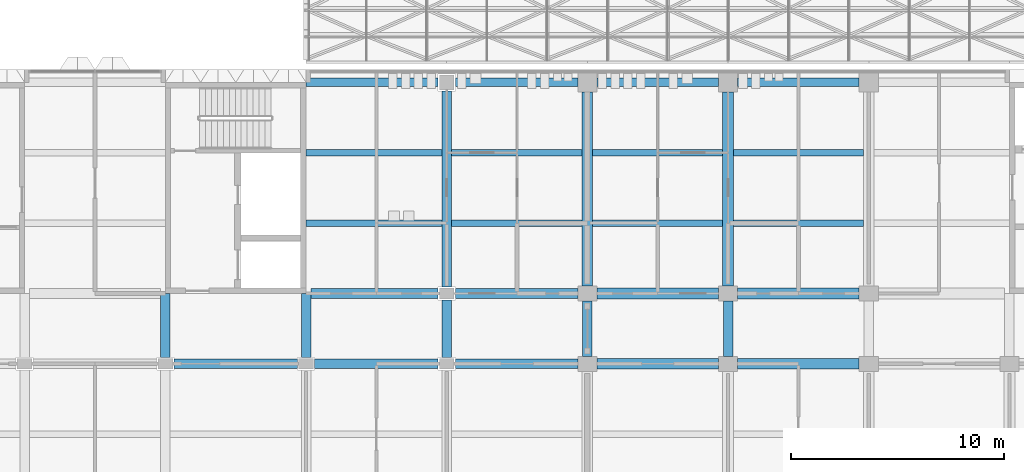
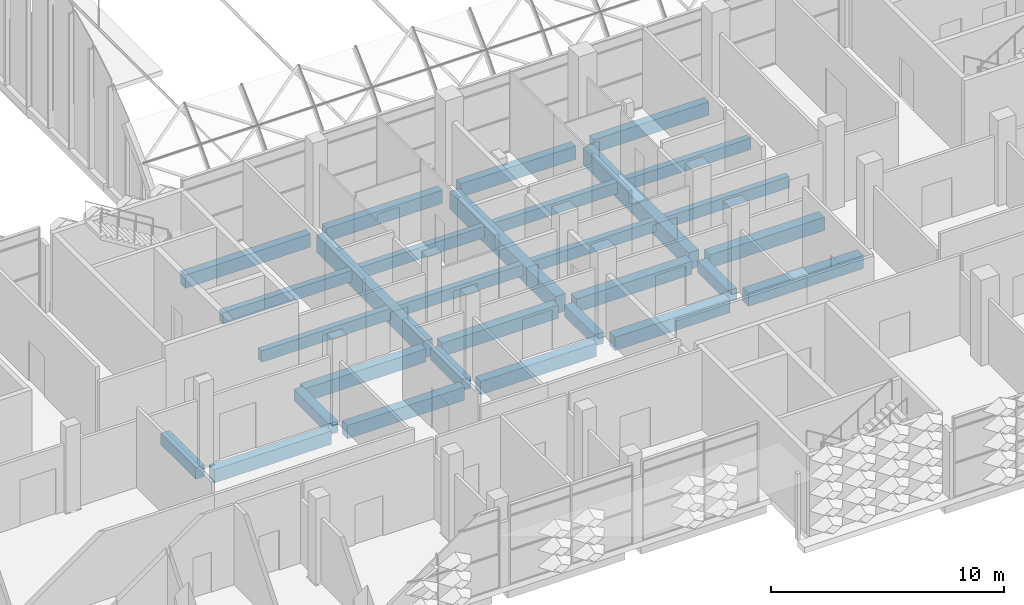
# One storey, part 11 of 109: 29 beams.
"""IFC4 building model written with IfcOpenShell, lengths in metres."""

from ifc_helpers import new_model, si_unit, direction, frame, origin, origin_2d, place, context, subcontext, project, spatial, rectangle, extrude, material, material_profile, profile_set, type_object, element, save


model = new_model("IFC4")

# Units and contexts
model_context = context("Model", 3, precision=1e-05, world=origin(), true_north=direction((0.0, 1.0)))
body_context = subcontext(model_context, "Body", "Model", "MODEL_VIEW")
ifc_project = project(units=[si_unit("LENGTHUNIT", "METRE"), si_unit("AREAUNIT", "SQUARE_METRE"), si_unit("VOLUMEUNIT", "CUBIC_METRE"), si_unit("PLANEANGLEUNIT", "RADIAN"), si_unit("MASSUNIT", "GRAM", prefix="KILO")], contexts=[model_context])

# Site, building, storey
site_placement = place(None, origin())
site = spatial("IfcSite", under=ifc_project, at=site_placement, CompositionType="ELEMENT")
building_placement = place(site_placement, origin())
building = spatial("IfcBuilding", under=site, at=building_placement, Name="Lantern Court Research Institute", CompositionType="ELEMENT")
storey_placement = place(building_placement, frame((0.0, 0.0, 14.39990234375)))
storey = spatial("IfcBuildingStorey", under=building, at=storey_placement, Name="L03", CompositionType="ELEMENT", Elevation=14.39990234375)

# Beams
ifc_material_1 = material(Name="Concrete C40/50", Category="concrete")
ifc_material_profile_1 = material_profile(ifc_material_1, rectangle(XDim=0.449951171875, YDim=0.699951171875, at=origin_2d()), Name="RC beam 450 x 700")
ifc_profile_set_1 = profile_set([ifc_material_profile_1], Name="Concrete C40/50")
beam_type_1 = type_object("IfcBeamType", Name="RC beam 450 x 700", PredefinedType="BEAM", material=ifc_profile_set_1)
for number, where, z_axis, x_axis, name in (
    (1, (33.39990234375, 9.89990234375, -0.64990234375), (1.0, 0.0, 0.0), (0.0, 1.0, 0.0), "Beam L03 grid B/6-7"),
    (2, (40.0, 9.89990234375, -0.64990234375), (1.0, 0.0, 0.0), (0.0, 1.0, 0.0), "Beam L03 grid B/7-8"),
):
    element("IfcBeam", number, at=place(storey_placement, frame(where, z_axis=z_axis, x_axis=x_axis)), inside=storey, type_object=beam_type_1, Name=name, PredefinedType="BEAM", context=body_context, shape_type="SweptSolid", body=[
        extrude(rectangle(XDim=0.449951171875, YDim=0.699951171875, at=origin_2d()), origin(), (0.0, 0.0, 1.0), 5.800048828125),
    ])
beam_1_placement = place(storey_placement, frame((46.60009765625, 9.89990234375, -0.64990234375), z_axis=(1.0, 0.0, 0.0), x_axis=(0.0, 1.0, 0.0)))
element("IfcBeam", 3, at=beam_1_placement, inside=storey, type_object=beam_type_1, Name="Beam L03 grid B/8-9", PredefinedType="BEAM", context=body_context, shape_type="SweptSolid", body=[
    extrude(rectangle(XDim=0.449951171875, YDim=0.699951171875, at=origin_2d()), origin(), (0.0, 0.0, 1.0), 5.75),
])
beam_2_placement = place(storey_placement, frame((39.824951171875, 13.199951171875, -0.64990234375), z_axis=(1.0, 0.0, 0.0), x_axis=(0.0, 1.0, 0.0)))
element("IfcBeam", 4, at=beam_2_placement, inside=storey, type_object=beam_type_1, Name="Beam L03 grid C/7-8", PredefinedType="BEAM", context=body_context, shape_type="SweptSolid", body=[
    extrude(rectangle(XDim=0.449951171875, YDim=0.699951171875, at=origin_2d()), origin(), (0.0, 0.0, 1.0), 5.97509765625),
])
beam_3_placement = place(storey_placement, frame((46.60009765625, 13.199951171875, -0.64990234375), z_axis=(1.0, 0.0, 0.0), x_axis=(0.0, 1.0, 0.0)))
element("IfcBeam", 5, at=beam_3_placement, inside=storey, type_object=beam_type_1, Name="Beam L03 grid C/8-9", PredefinedType="BEAM", context=body_context, shape_type="SweptSolid", body=[
    extrude(rectangle(XDim=0.449951171875, YDim=0.699951171875, at=origin_2d()), origin(), (0.0, 0.0, 1.0), 5.75),
])
ifc_material_2 = material(Name="Concrete C40/50", Category="concrete")
ifc_material_profile_2 = material_profile(ifc_material_2, rectangle(XDim=0.5, YDim=0.699951171875, at=origin_2d()), Name="RC beam 500 x 700")
ifc_profile_set_2 = profile_set([ifc_material_profile_2], Name="Concrete C40/50")
beam_type_2 = type_object("IfcBeamType", Name="RC beam 500 x 700", PredefinedType="BEAM", material=ifc_profile_set_2)
for number, where, z_axis, x_axis, name in (
    (6, (53.25, 9.89990234375, -0.64990234375), (1.0, 0.0, 0.0), (0.0, 1.0, 0.0), "Beam L03 grid B/9-10"),
    (7, (59.85009765625, 9.89990234375, -0.64990234375), (1.0, 0.0, 0.0), (0.0, 1.0, 0.0), "Beam L03 grid B/10-11"),
    (8, (53.25, 13.199951171875, -0.64990234375), (1.0, 0.0, 0.0), (0.0, 1.0, 0.0), "Beam L03 grid C/9-10"),
    (9, (59.85009765625, 13.199951171875, -0.64990234375), (1.0, 0.0, 0.0), (0.0, 1.0, 0.0), "Beam L03 grid C/10-11"),
):
    element("IfcBeam", number, at=place(storey_placement, frame(where, z_axis=z_axis, x_axis=x_axis)), inside=storey, type_object=beam_type_2, Name=name, PredefinedType="BEAM", context=body_context, shape_type="SweptSolid", body=[
        extrude(rectangle(XDim=0.5, YDim=0.699951171875, at=origin_2d()), origin(), (0.0, 0.0, 1.0), 5.699951171875),
    ])
ifc_material_3 = material(Name="Concrete C40/50", Category="concrete")
ifc_material_profile_3 = material_profile(ifc_material_3, rectangle(XDim=0.39990234375, YDim=0.699951171875, at=origin_2d()), Name="RC beam 400 x 700")
ifc_profile_set_3 = profile_set([ifc_material_profile_3], Name="Concrete C40/50")
beam_type_3 = type_object("IfcBeamType", Name="RC edge beam 400 x 700", PredefinedType="BEAM", material=ifc_profile_set_3)
beam_4_placement = place(storey_placement, frame((39.60009765625, 23.10009765625, -0.64990234375), z_axis=(1.0, 0.0, 0.0), x_axis=(0.0, 1.0, 0.0)))
element("IfcBeam", 10, at=beam_4_placement, inside=storey, type_object=beam_type_3, Name="Edge beam L03 grid D/7-8", PredefinedType="BEAM", context=body_context, shape_type="SweptSolid", body=[
    extrude(rectangle(XDim=0.39990234375, YDim=0.699951171875, at=origin_2d()), origin(), (0.0, 0.0, 1.0), 6.199951171875),
])
beam_5_placement = place(storey_placement, frame((46.60009765625, 23.10009765625, -0.64990234375), z_axis=(1.0, 0.0, 0.0), x_axis=(0.0, 1.0, 0.0)))
element("IfcBeam", 11, at=beam_5_placement, inside=storey, type_object=beam_type_3, Name="Edge beam L03 grid D/8-9", PredefinedType="BEAM", context=body_context, shape_type="SweptSolid", body=[
    extrude(rectangle(XDim=0.39990234375, YDim=0.699951171875, at=origin_2d()), origin(), (0.0, 0.0, 1.0), 5.75),
])
for number, where, z_axis, x_axis, name in (
    (12, (53.25, 23.10009765625, -0.64990234375), (1.0, 0.0, 0.0), (0.0, 1.0, 0.0), "Edge beam L03 grid D/9-10"),
    (13, (59.85009765625, 23.10009765625, -0.64990234375), (1.0, 0.0, 0.0), (0.0, 1.0, 0.0), "Edge beam L03 grid D/10-11"),
):
    element("IfcBeam", number, at=place(storey_placement, frame(where, z_axis=z_axis, x_axis=x_axis)), inside=storey, type_object=beam_type_3, Name=name, PredefinedType="BEAM", context=body_context, shape_type="SweptSolid", body=[
        extrude(rectangle(XDim=0.39990234375, YDim=0.699951171875, at=origin_2d()), origin(), (0.0, 0.0, 1.0), 5.699951171875),
    ])
ifc_material_4 = material(Name="Concrete C40/50", Category="concrete")
ifc_material_profile_4 = material_profile(ifc_material_4, rectangle(XDim=0.449951171875, YDim=0.89990234375, at=origin_2d()), Name="RC beam 450 x 900")
ifc_profile_set_4 = profile_set([ifc_material_profile_4], Name="Concrete C40/50")
beam_type_4 = type_object("IfcBeamType", Name="RC girder 450 x 900", PredefinedType="BEAM", material=ifc_profile_set_4)
beam_6_placement = place(storey_placement, frame((46.199951171875, 13.5, -0.75), z_axis=(0.0, 1.0, 0.0), x_axis=(-1.0, 0.0, 0.0)))
element("IfcBeam", 14, at=beam_6_placement, inside=storey, type_object=beam_type_4, Name="Girder L03 grid 8/C-D", PredefinedType="BEAM", context=body_context, shape_type="SweptSolid", body=[
    extrude(rectangle(XDim=0.449951171875, YDim=0.89990234375, at=origin_2d()), origin(), (0.0, 0.0, 1.0), 9.199951171875),
])
ifc_material_5 = material(Name="Concrete C40/50", Category="concrete")
ifc_material_profile_5 = material_profile(ifc_material_5, rectangle(XDim=0.5, YDim=0.89990234375, at=origin_2d()), Name="RC beam 500 x 900")
ifc_profile_set_5 = profile_set([ifc_material_profile_5], Name="Concrete C40/50")
beam_type_5 = type_object("IfcBeamType", Name="RC girder 500 x 900", PredefinedType="BEAM", material=ifc_profile_set_5)
for number, where, z_axis, x_axis, name in (
    (15, (52.800048828125, 13.550048828125, -0.75), (0.0, 1.0, 0.0), (-1.0, 0.0, 0.0), "Girder L03 grid 9/C-D"),
    (16, (59.39990234375, 13.550048828125, -0.75), (0.0, 1.0, 0.0), (-1.0, 0.0, 0.0), "Girder L03 grid 10/C-D"),
):
    element("IfcBeam", number, at=place(storey_placement, frame(where, z_axis=z_axis, x_axis=x_axis)), inside=storey, type_object=beam_type_5, Name=name, PredefinedType="BEAM", context=body_context, shape_type="SweptSolid", body=[
        extrude(rectangle(XDim=0.5, YDim=0.89990234375, at=origin_2d()), origin(), (0.0, 0.0, 1.0), 9.099853515625),
    ])
ifc_material_6 = material(Name="Concrete C40/50", Category="concrete")
ifc_material_profile_6 = material_profile(ifc_material_6, rectangle(XDim=0.300048828125, YDim=0.60009765625, at=origin_2d()), Name="RC beam 300 x 600")
ifc_profile_set_6 = profile_set([ifc_material_profile_6], Name="Concrete C40/50")
beam_type_6 = type_object("IfcBeamType", Name="RC secondary beam 300 x 600", PredefinedType="BEAM", material=ifc_profile_set_6)
beam_7_placement = place(storey_placement, frame((39.60009765625, 16.5, -0.599853515625), z_axis=(1.0, 0.0, 0.0), x_axis=(0.0, 1.0, 0.0)))
element("IfcBeam", 17, at=beam_7_placement, inside=storey, type_object=beam_type_6, Name="Secondary beam L03 grids 7-8 / C-D, line 1", PredefinedType="BEAM", context=body_context, shape_type="SweptSolid", body=[
    extrude(rectangle(XDim=0.300048828125, YDim=0.60009765625, at=origin_2d()), origin(), (0.0, 0.0, 1.0), 6.375),
])
beam_8_placement = place(storey_placement, frame((46.425048828125, 16.5, -0.599853515625), z_axis=(1.0, 0.0, 0.0), x_axis=(0.0, 1.0, 0.0)))
element("IfcBeam", 18, at=beam_8_placement, inside=storey, type_object=beam_type_6, Name="Secondary beam L03 grids 8-9 / C-D, line 1", PredefinedType="BEAM", context=body_context, shape_type="SweptSolid", body=[
    extrude(rectangle(XDim=0.300048828125, YDim=0.60009765625, at=origin_2d()), origin(), (0.0, 0.0, 1.0), 6.125),
])
beam_9_placement = place(storey_placement, frame((39.60009765625, 19.800048828125, -0.599853515625), z_axis=(1.0, 0.0, 0.0), x_axis=(0.0, 1.0, 0.0)))
element("IfcBeam", 19, at=beam_9_placement, inside=storey, type_object=beam_type_6, Name="Secondary beam L03 grids 7-8 / C-D, line 2", PredefinedType="BEAM", context=body_context, shape_type="SweptSolid", body=[
    extrude(rectangle(XDim=0.300048828125, YDim=0.60009765625, at=origin_2d()), origin(), (0.0, 0.0, 1.0), 6.375),
])
beam_10_placement = place(storey_placement, frame((46.425048828125, 19.800048828125, -0.599853515625), z_axis=(1.0, 0.0, 0.0), x_axis=(0.0, 1.0, 0.0)))
element("IfcBeam", 20, at=beam_10_placement, inside=storey, type_object=beam_type_6, Name="Secondary beam L03 grids 8-9 / C-D, line 2", PredefinedType="BEAM", context=body_context, shape_type="SweptSolid", body=[
    extrude(rectangle(XDim=0.300048828125, YDim=0.60009765625, at=origin_2d()), origin(), (0.0, 0.0, 1.0), 6.125),
])
beam_11_placement = place(storey_placement, frame((53.050048828125, 16.5, -0.599853515625), z_axis=(1.0, 0.0, 0.0), x_axis=(0.0, 1.0, 0.0)))
element("IfcBeam", 21, at=beam_11_placement, inside=storey, type_object=beam_type_6, Name="Secondary beam L03 grids 9-10 / C-D, line 1", PredefinedType="BEAM", context=body_context, shape_type="SweptSolid", body=[
    extrude(rectangle(XDim=0.300048828125, YDim=0.60009765625, at=origin_2d()), origin(), (0.0, 0.0, 1.0), 6.099853515625),
])
beam_12_placement = place(storey_placement, frame((59.64990234375, 16.5, -0.599853515625), z_axis=(1.0, 0.0, 0.0), x_axis=(0.0, 1.0, 0.0)))
element("IfcBeam", 22, at=beam_12_placement, inside=storey, type_object=beam_type_6, Name="Secondary beam L03 grids 10-11 / C-D, line 1", PredefinedType="BEAM", context=body_context, shape_type="SweptSolid", body=[
    extrude(rectangle(XDim=0.300048828125, YDim=0.60009765625, at=origin_2d()), origin(), (0.0, 0.0, 1.0), 6.10009765625),
])
beam_13_placement = place(storey_placement, frame((53.050048828125, 19.800048828125, -0.599853515625), z_axis=(1.0, 0.0, 0.0), x_axis=(0.0, 1.0, 0.0)))
element("IfcBeam", 23, at=beam_13_placement, inside=storey, type_object=beam_type_6, Name="Secondary beam L03 grids 9-10 / C-D, line 2", PredefinedType="BEAM", context=body_context, shape_type="SweptSolid", body=[
    extrude(rectangle(XDim=0.300048828125, YDim=0.60009765625, at=origin_2d()), origin(), (0.0, 0.0, 1.0), 6.099853515625),
])
beam_14_placement = place(storey_placement, frame((59.64990234375, 19.800048828125, -0.599853515625), z_axis=(1.0, 0.0, 0.0), x_axis=(0.0, 1.0, 0.0)))
element("IfcBeam", 24, at=beam_14_placement, inside=storey, type_object=beam_type_6, Name="Secondary beam L03 grids 10-11 / C-D, line 2", PredefinedType="BEAM", context=body_context, shape_type="SweptSolid", body=[
    extrude(rectangle(XDim=0.300048828125, YDim=0.60009765625, at=origin_2d()), origin(), (0.0, 0.0, 1.0), 6.10009765625),
])
ifc_material_7 = material(Name="Concrete C40/50", Category="concrete")
ifc_material_profile_7 = material_profile(ifc_material_7, rectangle(XDim=0.449951171875, YDim=0.60009765625, at=origin_2d()), Name="RC beam 450 x 600")
ifc_profile_set_7 = profile_set([ifc_material_profile_7], Name="Concrete C40/50")
beam_type_7 = type_object("IfcBeamType", Name="RC spine beam 450 x 600", PredefinedType="BEAM", material=ifc_profile_set_7)
for number, where, z_axis, x_axis, name in (
    (25, (33.0, 10.199951171875, -0.599853515625), (0.0, 1.0, 0.0), (-1.0, 0.0, 0.0), "Beam L03 grid 6/B-C"),
    (26, (39.60009765625, 10.199951171875, -0.599853515625), (0.0, 1.0, 0.0), (-1.0, 0.0, 0.0), "Beam L03 grid 7/B-C"),
):
    element("IfcBeam", number, at=place(storey_placement, frame(where, z_axis=z_axis, x_axis=x_axis)), inside=storey, type_object=beam_type_7, Name=name, PredefinedType="BEAM", context=body_context, shape_type="SweptSolid", body=[
        extrude(rectangle(XDim=0.449951171875, YDim=0.60009765625, at=origin_2d()), origin(), (0.0, 0.0, 1.0), 3.0),
    ])
beam_15_placement = place(storey_placement, frame((46.199951171875, 10.199951171875, -0.599853515625), z_axis=(0.0, 1.0, 0.0), x_axis=(-1.0, 0.0, 0.0)))
element("IfcBeam", 27, at=beam_15_placement, inside=storey, type_object=beam_type_7, Name="Beam L03 grid 8/B-C", PredefinedType="BEAM", context=body_context, shape_type="SweptSolid", body=[
    extrude(rectangle(XDim=0.449951171875, YDim=0.60009765625, at=origin_2d()), origin(), (0.0, 0.0, 1.0), 2.699951171875),
])
for number, where, z_axis, x_axis, name in (
    (28, (52.800048828125, 10.25, -0.599853515625), (0.0, 1.0, 0.0), (-1.0, 0.0, 0.0), "Beam L03 grid 9/B-C"),
    (29, (59.39990234375, 10.25, -0.599853515625), (0.0, 1.0, 0.0), (-1.0, 0.0, 0.0), "Beam L03 grid 10/B-C"),
):
    element("IfcBeam", number, at=place(storey_placement, frame(where, z_axis=z_axis, x_axis=x_axis)), inside=storey, type_object=beam_type_7, Name=name, PredefinedType="BEAM", context=body_context, shape_type="SweptSolid", body=[
        extrude(rectangle(XDim=0.449951171875, YDim=0.60009765625, at=origin_2d()), origin(), (0.0, 0.0, 1.0), 2.60009765625),
    ])

save(model, "model.ifc")
